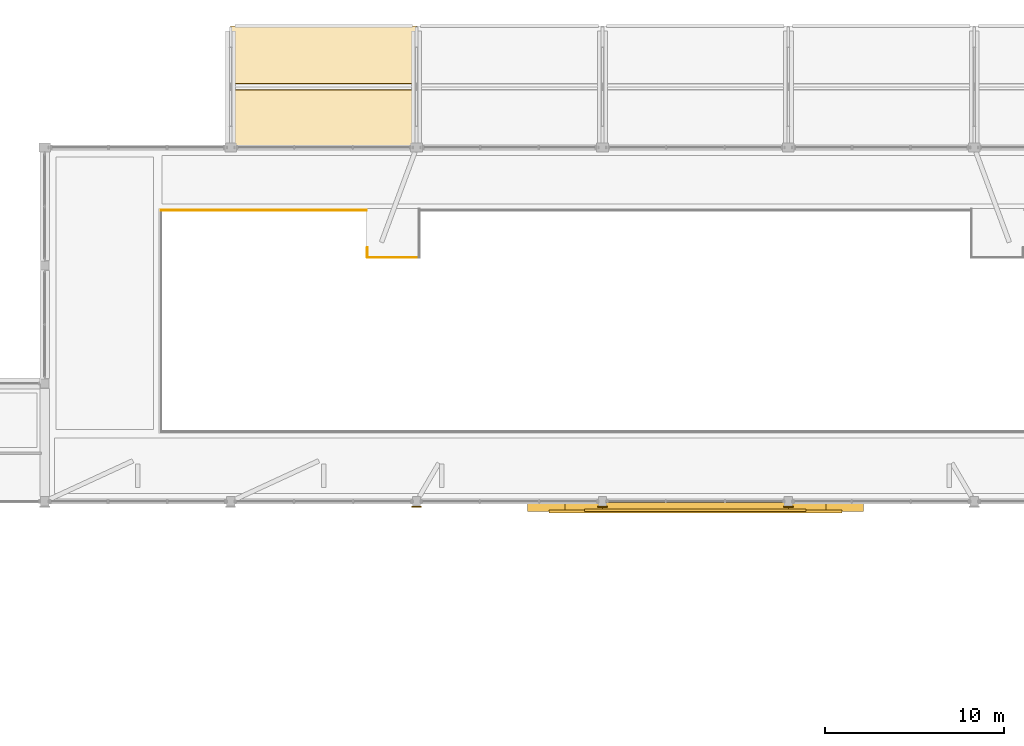
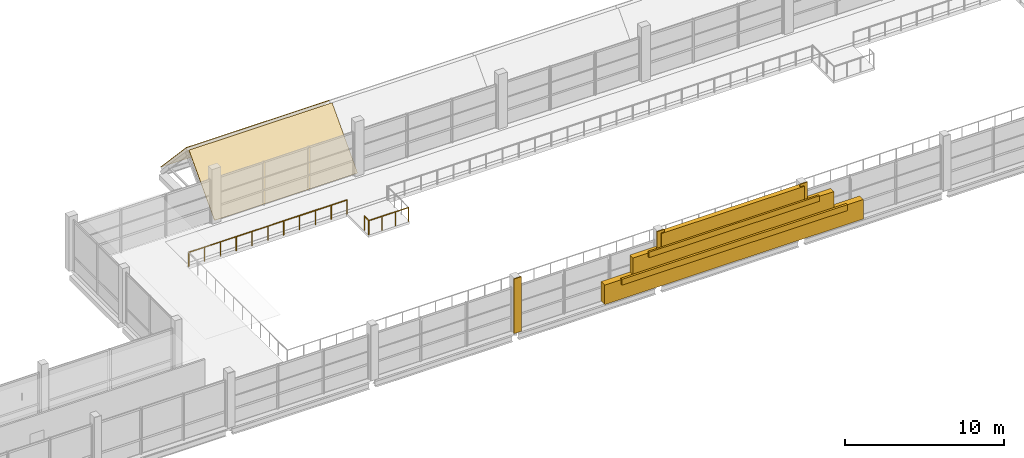
# One storey, part 78 of 85: 10 coverings, 3 railings.
"""IFC4 building model written with IfcOpenShell, lengths in metres."""

from ifc_helpers import new_model, si_unit, derived_unit, direction, frame, origin, origin_2d, place, context, subcontext, project, spatial, polyline, rectangle, circle, outline, extrude, material, layer, layer_set, type_object, element, save


model = new_model("IFC4")

# Units and contexts
model_context = context("Model", 3, precision=1e-05, world=origin(), true_north=direction((0.0, 1.0)))
body_context = subcontext(model_context, "Body", "Model", "MODEL_VIEW")
ifc_project = project(units=[si_unit("LENGTHUNIT", "METRE"), si_unit("AREAUNIT", "SQUARE_METRE"), si_unit("VOLUMEUNIT", "CUBIC_METRE"), si_unit("PLANEANGLEUNIT", "RADIAN"), si_unit("MASSUNIT", "GRAM", prefix="KILO"), derived_unit("THERMALTRANSMITTANCEUNIT", [(si_unit("POWERUNIT", "WATT"), 1), (si_unit("LENGTHUNIT", "METRE"), -2), (si_unit("THERMODYNAMICTEMPERATUREUNIT", "KELVIN"), -1)])], contexts=[model_context])

# Site, building, storey
site_placement = place(None, origin())
site = spatial("IfcSite", under=ifc_project, at=site_placement, CompositionType="ELEMENT")
building_placement = place(site_placement, origin())
building = spatial("IfcBuilding", under=site, at=building_placement, Name="Braskholm Square Health Centre", CompositionType="ELEMENT")
storey_placement = place(building_placement, frame((0.0, 0.0, 9.300048828125)))
storey = spatial("IfcBuildingStorey", under=building, at=storey_placement, Name="L03", CompositionType="ELEMENT", Elevation=9.300048828125)

# Railings
ifc_material_1 = material(Name="Dark patinated chevron architectural bronze", Category="aluminium")
railing_type = type_object("IfcRailingType", Name="BronzeChevronGuardrail1100", PredefinedType="GUARDRAIL", material=ifc_material_1)
railing_1_placement = place(storey_placement, frame((65.64990234375, 101.39990234375, 0.0)))
element("IfcRailing", 1, at=railing_1_placement, inside=storey, type_object=railing_type, Name="Atrium stair landing edge guard 05", PredefinedType="GUARDRAIL", context=body_context, shape_type="SweptSolid", body=[
    extrude(circle(Radius=0.02392578125, at=origin_2d()), frame((0.0, 0.0, 1.076171875), z_axis=(0.0, -1.0, 0.0), x_axis=(1.0, 0.0, 0.0)), (0.0, 0.0, 1.0), 0.5498046875),
    extrude(circle(Radius=0.02099609375, at=origin_2d()), origin(), (0.0, 0.0, 1.0), 1.052001953125),
    extrude(circle(Radius=0.02099609375, at=origin_2d()), frame((0.0, -0.5498046875, 0.0)), (0.0, 0.0, 1.0), 1.052001953125),
])
railing_2_placement = place(storey_placement, frame((65.64990234375, 100.85009765625, 0.0)))
element("IfcRailing", 2, at=railing_2_placement, inside=storey, type_object=railing_type, Name="Atrium stair landing edge guard 05", PredefinedType="GUARDRAIL", context=body_context, shape_type="SweptSolid", body=[
    extrude(circle(Radius=0.02392578125, at=origin_2d()), frame((0.0, 0.0, 1.076171875), z_axis=(1.0, 0.0, 0.0), x_axis=(0.0, 1.0, 0.0)), (0.0, 0.0, 1.0), 2.900146484375),
    extrude(circle(Radius=0.02099609375, at=origin_2d()), origin(), (0.0, 0.0, 1.0), 1.052001953125),
    extrude(circle(Radius=0.02099609375, at=origin_2d()), frame((0.966796875, 0.0, 0.0)), (0.0, 0.0, 1.0), 1.052001953125),
    extrude(circle(Radius=0.02099609375, at=origin_2d()), frame((1.933349609375, 0.0, 0.0)), (0.0, 0.0, 1.0), 1.052001953125),
    extrude(circle(Radius=0.02099609375, at=origin_2d()), frame((2.900146484375, 0.0, 0.0)), (0.0, 0.0, 1.0), 1.052001953125),
])
railing_3_placement = place(storey_placement, frame((54.10009765625, 103.5, 0.0)))
element("IfcRailing", 3, at=railing_3_placement, inside=storey, type_object=railing_type, Name="Bronze chevron guardrail 0061 L03", PredefinedType="GUARDRAIL", context=body_context, shape_type="SweptSolid", body=[
    extrude(circle(Radius=0.02392578125, at=origin_2d()), frame((0.0, 0.0, 1.076171875), z_axis=(1.0, 0.0, 0.0), x_axis=(0.0, 1.0, 0.0)), (0.0, 0.0, 1.0), 11.5),
    extrude(circle(Radius=0.02099609375, at=origin_2d()), origin(), (0.0, 0.0, 1.0), 1.052001953125),
    extrude(circle(Radius=0.02099609375, at=origin_2d()), frame((1.14990234375, 0.0, 0.0)), (0.0, 0.0, 1.0), 1.052001953125),
    extrude(circle(Radius=0.02099609375, at=origin_2d()), frame((2.300048828125, 0.0, 0.0)), (0.0, 0.0, 1.0), 1.052001953125),
    extrude(circle(Radius=0.02099609375, at=origin_2d()), frame((3.449951171875, 0.0, 0.0)), (0.0, 0.0, 1.0), 1.052001953125),
    extrude(circle(Radius=0.02099609375, at=origin_2d()), frame((4.60009765625, 0.0, 0.0)), (0.0, 0.0, 1.0), 1.052001953125),
    extrude(circle(Radius=0.02099609375, at=origin_2d()), frame((5.75, 0.0, 0.0)), (0.0, 0.0, 1.0), 1.052001953125),
    extrude(circle(Radius=0.02099609375, at=origin_2d()), frame((6.89990234375, 0.0, 0.0)), (0.0, 0.0, 1.0), 1.052001953125),
    extrude(circle(Radius=0.02099609375, at=origin_2d()), frame((8.050048828125, 0.0, 0.0)), (0.0, 0.0, 1.0), 1.052001953125),
    extrude(circle(Radius=0.02099609375, at=origin_2d()), frame((9.199951171875, 0.0, 0.0)), (0.0, 0.0, 1.0), 1.052001953125),
    extrude(circle(Radius=0.02099609375, at=origin_2d()), frame((10.35009765625, 0.0, 0.0)), (0.0, 0.0, 1.0), 1.052001953125),
    extrude(circle(Radius=0.02099609375, at=origin_2d()), frame((11.5, 0.0, 0.0)), (0.0, 0.0, 1.0), 1.052001953125),
])

# Coverings
ifc_layer_1 = layer(ifc_material_1, 0.070068359375)
ifc_layer_set_1 = layer_set([ifc_layer_1], Name="Dark patinated chevron architectural bronze")
covering_type_1 = type_object("IfcCoveringType", Name="BronzeZigguratFriezeCladding", PredefinedType="CLADDING", material=ifc_layer_set_1)
covering_1_placement = place(storey_placement, frame((84.0, 86.639892578125, 1.22509765625), z_axis=(0.0, 0.0, 1.0), x_axis=(1.0, 0.0, 0.0)))
element("IfcCovering", 4, at=covering_1_placement, inside=storey, type_object=covering_type_1, Name="Classical Art Deco architectural trim 0892", PredefinedType="CLADDING", context=body_context, shape_type="SweptSolid", body=[
    extrude(rectangle(XDim=16.39990234375, YDim=0.159912109375, at=origin_2d()), origin(), (0.0, 0.0, 1.0), 0.449951171875),
])
covering_2_placement = place(storey_placement, frame((84.0, 86.699951171875, 2.590087890625), z_axis=(0.0, 0.0, 1.0), x_axis=(1.0, 0.0, 0.0)))
element("IfcCovering", 5, at=covering_2_placement, inside=storey, type_object=covering_type_1, Name="Classical Art Deco architectural trim 0894", PredefinedType="CLADDING", context=body_context, shape_type="SweptSolid", body=[
    extrude(rectangle(XDim=12.39990234375, YDim=0.139892578125, at=origin_2d()), origin(), (0.0, 0.0, 1.0), 0.419921875),
])
ifc_material_2 = material(Name="Mankato-Kasota dolomitic limestone ashlar", Category="masonry")
ifc_layer_2 = layer(ifc_material_2, 0.090087890625)
ifc_layer_set_2 = layer_set([ifc_layer_2], Name="Mankato-Kasota dolomitic limestone ashlar")
covering_type_2 = type_object("IfcCoveringType", Name="KasotaAshlarBaseCladding", PredefinedType="CLADDING", material=ifc_layer_set_2)
covering_3_placement = place(storey_placement, frame((84.0, 86.8798828125, 0.099853515625), z_axis=(0.0, 0.0, 1.0), x_axis=(1.0, 0.0, 0.0)))
element("IfcCovering", 6, at=covering_3_placement, inside=storey, type_object=covering_type_2, Name="Classical Art Deco architectural trim 0891", PredefinedType="CLADDING", context=body_context, shape_type="SweptSolid", body=[
    extrude(rectangle(XDim=18.800048828125, YDim=0.4599609375, at=origin_2d()), origin(), (0.0, 0.0, 1.0), 1.5),
])
covering_4_placement = place(storey_placement, frame((84.0, 86.919921875, 1.60009765625), z_axis=(0.0, 0.0, 1.0), x_axis=(1.0, 0.0, 0.0)))
element("IfcCovering", 7, at=covering_4_placement, inside=storey, type_object=covering_type_2, Name="Classical Art Deco architectural trim 0893", PredefinedType="CLADDING", context=body_context, shape_type="SweptSolid", body=[
    extrude(rectangle(XDim=14.60009765625, YDim=0.39990234375, at=origin_2d()), origin(), (0.0, 0.0, 1.0), 1.300048828125),
])
covering_5_placement = place(storey_placement, frame((84.0, 86.9599609375, 2.89990234375), z_axis=(0.0, 0.0, 1.0), x_axis=(1.0, 0.0, 0.0)))
element("IfcCovering", 8, at=covering_5_placement, inside=storey, type_object=covering_type_2, Name="Classical Art Deco architectural trim 0895", PredefinedType="CLADDING", context=body_context, shape_type="SweptSolid", body=[
    extrude(rectangle(XDim=10.39990234375, YDim=0.340087890625, at=origin_2d()), origin(), (0.0, 0.0, 1.0), 1.10009765625),
])
ifc_material_3 = material(Name="Precast concrete C40/50 architectural white", Category="concrete")
ifc_layer_3 = layer(ifc_material_3, 0.054931640625)
ifc_layer_set_3 = layer_set([ifc_layer_3], Name="Precast concrete C40/50 architectural white")
covering_type_3 = type_object("IfcCoveringType", Name="PrecastWhiteColumnCasing", PredefinedType="CLADDING", material=ifc_layer_set_3)
for number, where, z_axis, x_axis, name in (
    (9, (68.39990234375, 86.89501953125, 0.0), (0.0, 0.0, 1.0), (1.0, 0.0, 0.0), "Giant-order white precast column casing 0199"),
    (10, (78.800048828125, 86.89501953125, 0.0), (0.0, 0.0, 1.0), (1.0, 0.0, 0.0), "Giant-order white precast column casing 0202"),
    (11, (89.199951171875, 86.89501953125, 0.0), (0.0, 0.0, 1.0), (1.0, 0.0, 0.0), "Giant-order white precast column casing 0205"),
):
    element("IfcCovering", number, at=place(storey_placement, frame(where, z_axis=z_axis, x_axis=x_axis)), inside=storey, type_object=covering_type_3, Name=name, PredefinedType="CLADDING", context=body_context, shape_type="SweptSolid", body=[
        extrude(rectangle(XDim=0.5400390625, YDim=0.06005859375, at=origin_2d()), origin(), (0.0, 0.0, 1.0), 4.199951171875),
    ])
ifc_material_4 = material(Name="Patinated standing-seam architectural copper")
ifc_layer_4 = layer(ifc_material_4, 0.0400390625)
ifc_layer_set_4 = layer_set([ifc_layer_4], Name="Patinated standing-seam architectural copper")
covering_type_4 = type_object("IfcCoveringType", Name="StandingSeamCopperRoofing", PredefinedType="ROOFING", material=ifc_layer_set_4)
for number, where, z_axis, x_axis, name in (
    (12, (58.0, 107.0, 0.0400390625), (0.0, -0.731053547869, 0.682320093613), (1.0, 0.0, 0.0), "Hydrotherapy copper roofing Bay 1 South"),
    (13, (68.39990234375, 113.800048828125, 0.0400390625), (0.0, 0.731053547869, 0.682320093613), (-1.0, 0.0, 0.0), "Hydrotherapy copper roofing Bay 1 North"),
):
    element("IfcCovering", number, at=place(storey_placement, frame(where, z_axis=z_axis, x_axis=x_axis)), inside=storey, type_object=covering_type_4, Name=name, PredefinedType="ROOFING", context=body_context, shape_type="SweptSolid", body=[
        extrude(outline(polyline([(0.0, 0.0), (10.39990234375, 0.0), (10.39990234375, 4.719149755761624), (0.0, 4.719149755761624), (0.0, 0.0)])), origin(), (0.0, 0.0, -1.0), 0.0400390625),
    ])

save(model, "model.ifc")
